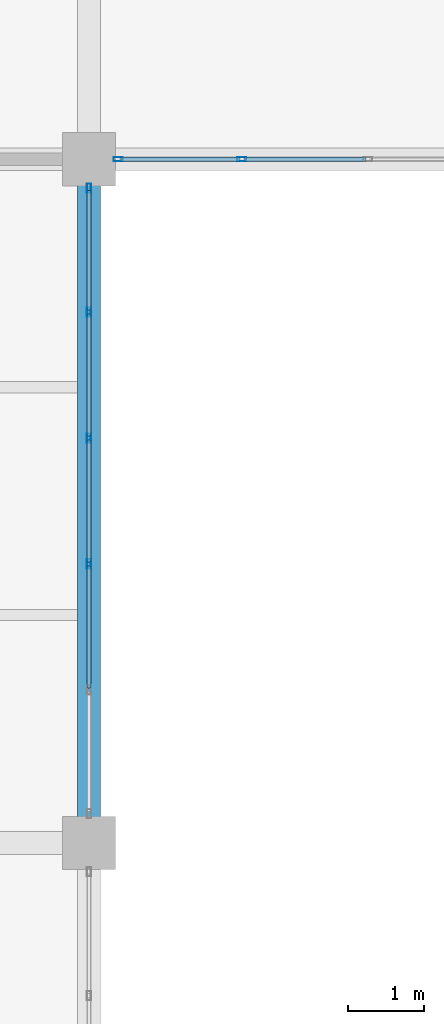
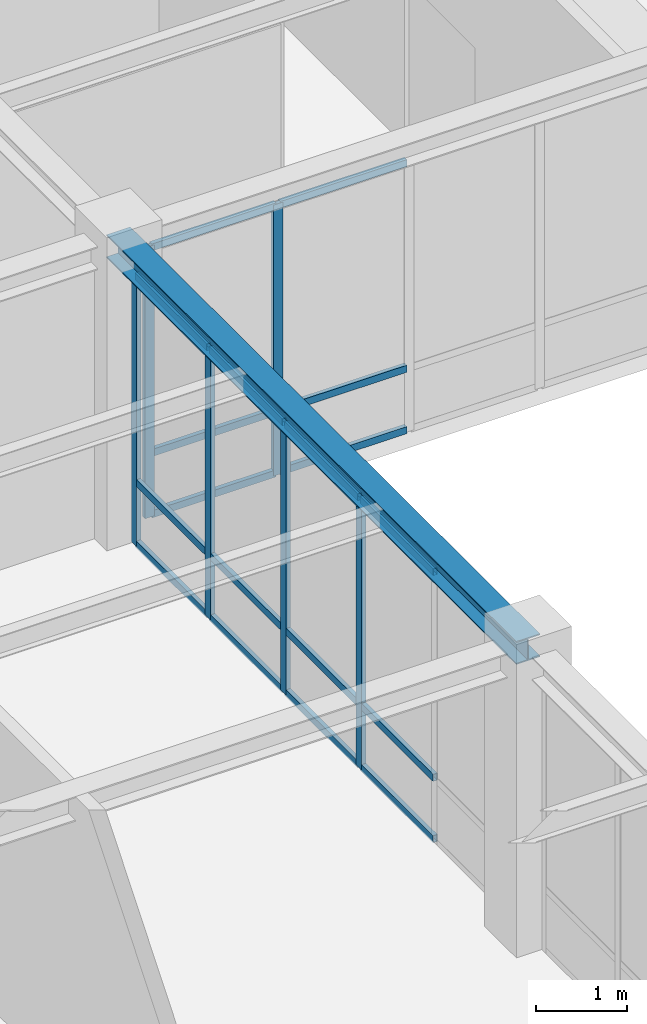
# One storey, part 44 of 108: 24 members, 1 beam, 2 elements without a shape of their own.
"""IFC4 building model written with IfcOpenShell, lengths in metres."""

from ifc_helpers import new_model, si_unit, direction, frame, origin, origin_2d, place, context, subcontext, project, spatial, hollow_rectangle, i_section, extrude, material, material_profile, profile_set, type_object, element, aggregate, save


model = new_model("IFC4")

# Units and contexts
model_context = context("Model", 3, precision=1e-05, world=origin(), true_north=direction((0.0, 1.0)))
body_context = subcontext(model_context, "Body", "Model", "MODEL_VIEW")
ifc_project = project(units=[si_unit("LENGTHUNIT", "METRE"), si_unit("AREAUNIT", "SQUARE_METRE"), si_unit("VOLUMEUNIT", "CUBIC_METRE"), si_unit("PLANEANGLEUNIT", "RADIAN"), si_unit("MASSUNIT", "GRAM", prefix="KILO")], contexts=[model_context])

# Site, building, storey
site_placement = place(None, origin())
site = spatial("IfcSite", under=ifc_project, at=site_placement, CompositionType="ELEMENT")
building_placement = place(site_placement, origin())
building = spatial("IfcBuilding", under=site, at=building_placement, Name="Lykobir Media Centre", CompositionType="ELEMENT")
storey_placement = place(building_placement, frame((0.0, 0.0, 15.0)))
storey = spatial("IfcBuildingStorey", under=building, at=storey_placement, Name="L03", CompositionType="ELEMENT", Elevation=15.0)

# Beam
ifc_material_1 = material(Name="Steel S355", Category="steel")
ifc_material_profile_1 = material_profile(ifc_material_1, i_section(OverallWidth=0.300048828125, OverallDepth=0.31005859375, WebThickness=0.009033203125, FlangeThickness=0.015380859375, at=origin_2d()), Name="HEA 320")
ifc_profile_set_1 = profile_set([ifc_material_profile_1], Name="Steel S355")
beam_type = type_object("IfcBeamType", Name="BM-HEA320", PredefinedType="BEAM", material=ifc_profile_set_1)
beam_placement = place(storey_placement, frame((36.0, 54.0, 3.804931640625), z_axis=(0.0, 1.0, 0.0), x_axis=(-1.0, 0.0, 0.0)))
element("IfcBeam", 1, at=beam_placement, inside=storey, type_object=beam_type, Name="Beam BM-L03-0360-0540-0360-0630-1880", PredefinedType="BEAM", context=body_context, shape_type="SweptSolid", body=[
    extrude(i_section(OverallWidth=0.300048828125, OverallDepth=0.31005859375, WebThickness=0.009033203125, FlangeThickness=0.015380859375, at=origin_2d()), origin(), (0.0, 0.0, 1.0), 9.0),
])

# Curtain wall, members
ifc_material_2 = material(Name="Anodized Aluminium AW-6060", Category="aluminium")
curtain_wall_type = type_object("IfcCurtainWallType", Name="CW-COURT-B", PredefinedType="NOTDEFINED", material=ifc_material_2)
curtain_wall_1_placement = place(storey_placement, origin())
curtain_wall_1 = element("IfcCurtainWall", 2, at=curtain_wall_1_placement, inside=storey, type_object=curtain_wall_type, Name="Curtain wall CW2-L03-0119", PredefinedType="NOTDEFINED")
ifc_material_profile_2 = material_profile(ifc_material_2, hollow_rectangle(XDim=0.054931640625, YDim=0.1201171875, WallThickness=0.003173828125, at=origin_2d()), Name="ALU MULLION 55x120")
ifc_profile_set_2 = profile_set([ifc_material_profile_2], Name="Anodized Aluminium AW-6060")
member_type_1 = type_object("IfcMemberType", Name="CWM-120", PredefinedType="MULLION", material=ifc_profile_set_2)
member_1_placement = place(storey_placement, frame((36.0, 62.617431640625, 0.0), z_axis=(0.0, 0.0, 1.0), x_axis=(1.0, 0.0, 0.0)))
member_1 = element("IfcMember", 3, at=member_1_placement, type_object=member_type_1, Name="CW2-L03-0119 mullion 1", PredefinedType="MULLION", context=body_context, shape_type="SweptSolid", body=[
    extrude(hollow_rectangle(XDim=0.054931640625, YDim=0.1201171875, WallThickness=0.003173828125, at=origin_2d()), origin(), (0.0, 0.0, 1.0), 3.635009765625),
])
member_2_placement = place(storey_placement, frame((36.0, 60.987060546875, 0.0), z_axis=(0.0, 0.0, 1.0), x_axis=(1.0, 0.0, 0.0)))
member_2 = element("IfcMember", 4, at=member_2_placement, type_object=member_type_1, Name="CW2-L03-0119 mullion 2", PredefinedType="MULLION", context=body_context, shape_type="SweptSolid", body=[
    extrude(hollow_rectangle(XDim=0.054931640625, YDim=0.1201171875, WallThickness=0.003173828125, at=origin_2d()), origin(), (0.0, 0.0, 1.0), 3.635009765625),
])
member_3_placement = place(storey_placement, frame((36.0, 59.3291015625, 0.0), z_axis=(0.0, 0.0, 1.0), x_axis=(1.0, 0.0, 0.0)))
member_3 = element("IfcMember", 5, at=member_3_placement, type_object=member_type_1, Name="CW2-L03-0119 mullion 3", PredefinedType="MULLION", context=body_context, shape_type="SweptSolid", body=[
    extrude(hollow_rectangle(XDim=0.054931640625, YDim=0.1201171875, WallThickness=0.003173828125, at=origin_2d()), origin(), (0.0, 0.0, 1.0), 3.635009765625),
])
member_4_placement = place(storey_placement, frame((36.0, 57.6708984375, 0.0), z_axis=(0.0, 0.0, 1.0), x_axis=(1.0, 0.0, 0.0)))
member_4 = element("IfcMember", 6, at=member_4_placement, type_object=member_type_1, Name="CW2-L03-0119 mullion 4", PredefinedType="MULLION", context=body_context, shape_type="SweptSolid", body=[
    extrude(hollow_rectangle(XDim=0.054931640625, YDim=0.1201171875, WallThickness=0.003173828125, at=origin_2d()), origin(), (0.0, 0.0, 1.0), 3.635009765625),
])

curtain_wall_2_placement = place(storey_placement, origin())
curtain_wall_2 = element("IfcCurtainWall", 7, at=curtain_wall_2_placement, inside=storey, type_object=curtain_wall_type, Name="Curtain wall CW2-L03-0120", PredefinedType="NOTDEFINED")
member_5_placement = place(storey_placement, frame((38.012939453125, 63.0, 0.0), z_axis=(0.0, 0.0, 1.0), x_axis=(0.0, -1.0, 0.0)))
member_5 = element("IfcMember", 8, at=member_5_placement, type_object=member_type_1, Name="CW2-L03-0120 mullion 5", PredefinedType="MULLION", context=body_context, shape_type="SweptSolid", body=[
    extrude(hollow_rectangle(XDim=0.054931640625, YDim=0.1201171875, WallThickness=0.003173828125, at=origin_2d()), origin(), (0.0, 0.0, 1.0), 3.635009765625),
])
member_6_placement = place(storey_placement, frame((36.382568359375, 63.0, 0.0), z_axis=(0.0, 0.0, 1.0), x_axis=(0.0, -1.0, 0.0)))
member_6 = element("IfcMember", 9, at=member_6_placement, type_object=member_type_1, Name="CW2-L03-0120 mullion 6", PredefinedType="MULLION", context=body_context, shape_type="SweptSolid", body=[
    extrude(hollow_rectangle(XDim=0.054931640625, YDim=0.1201171875, WallThickness=0.003173828125, at=origin_2d()), origin(), (0.0, 0.0, 1.0), 3.635009765625),
])

# Member
ifc_material_profile_3 = material_profile(ifc_material_2, hollow_rectangle(XDim=0.054931640625, YDim=0.094970703125, WallThickness=0.0029296875, at=origin_2d()), Name="ALU TRANSOM 55x95")
ifc_profile_set_3 = profile_set([ifc_material_profile_3], Name="Anodized Aluminium AW-6060")
member_type_2 = type_object("IfcMemberType", Name="CWT-095", PredefinedType="USERDEFINED", material=ifc_profile_set_3)
member_7_placement = place(storey_placement, frame((36.0, 62.590087890625, 0.027587890625), z_axis=(0.0, -1.0, 0.0), x_axis=(1.0, 0.0, 0.0)))
member_7 = element("IfcMember", 10, at=member_7_placement, type_object=member_type_2, Name="CW2-L03-0119 transom 1.1", ObjectType="TRANSOM", PredefinedType="USERDEFINED", context=body_context, shape_type="SweptSolid", body=[
    extrude(hollow_rectangle(XDim=0.054931640625, YDim=0.094970703125, WallThickness=0.0029296875, at=origin_2d()), origin(), (0.0, 0.0, 1.0), 1.57568359375),
])

member_8_placement = place(storey_placement, frame((36.0, 62.590087890625, 0.85009765625), z_axis=(0.0, -1.0, 0.0), x_axis=(1.0, 0.0, 0.0)))
member_8 = element("IfcMember", 11, at=member_8_placement, type_object=member_type_2, Name="CW2-L03-0119 transom 1.2", ObjectType="TRANSOM", PredefinedType="USERDEFINED", context=body_context, shape_type="SweptSolid", body=[
    extrude(hollow_rectangle(XDim=0.054931640625, YDim=0.094970703125, WallThickness=0.0029296875, at=origin_2d()), origin(), (0.0, 0.0, 1.0), 1.57568359375),
])

member_9_placement = place(storey_placement, frame((36.0, 62.590087890625, 3.607421875), z_axis=(0.0, -1.0, 0.0), x_axis=(1.0, 0.0, 0.0)))
member_9 = element("IfcMember", 12, at=member_9_placement, type_object=member_type_2, Name="CW2-L03-0119 transom 1.3", ObjectType="TRANSOM", PredefinedType="USERDEFINED", context=body_context, shape_type="SweptSolid", body=[
    extrude(hollow_rectangle(XDim=0.054931640625, YDim=0.094970703125, WallThickness=0.0029296875, at=origin_2d()), origin(), (0.0, 0.0, 1.0), 1.57568359375),
])

member_10_placement = place(storey_placement, frame((36.0, 60.95947265625, 0.027587890625), z_axis=(0.0, -1.0, 0.0), x_axis=(1.0, 0.0, 0.0)))
member_10 = element("IfcMember", 13, at=member_10_placement, type_object=member_type_2, Name="CW2-L03-0119 transom 2.1", ObjectType="TRANSOM", PredefinedType="USERDEFINED", context=body_context, shape_type="SweptSolid", body=[
    extrude(hollow_rectangle(XDim=0.054931640625, YDim=0.094970703125, WallThickness=0.0029296875, at=origin_2d()), origin(), (0.0, 0.0, 1.0), 1.60302734375),
])

member_11_placement = place(storey_placement, frame((36.0, 60.95947265625, 0.85009765625), z_axis=(0.0, -1.0, 0.0), x_axis=(1.0, 0.0, 0.0)))
member_11 = element("IfcMember", 14, at=member_11_placement, type_object=member_type_2, Name="CW2-L03-0119 transom 2.2", ObjectType="TRANSOM", PredefinedType="USERDEFINED", context=body_context, shape_type="SweptSolid", body=[
    extrude(hollow_rectangle(XDim=0.054931640625, YDim=0.094970703125, WallThickness=0.0029296875, at=origin_2d()), origin(), (0.0, 0.0, 1.0), 1.60302734375),
])

member_12_placement = place(storey_placement, frame((36.0, 60.95947265625, 3.607421875), z_axis=(0.0, -1.0, 0.0), x_axis=(1.0, 0.0, 0.0)))
member_12 = element("IfcMember", 15, at=member_12_placement, type_object=member_type_2, Name="CW2-L03-0119 transom 2.3", ObjectType="TRANSOM", PredefinedType="USERDEFINED", context=body_context, shape_type="SweptSolid", body=[
    extrude(hollow_rectangle(XDim=0.054931640625, YDim=0.094970703125, WallThickness=0.0029296875, at=origin_2d()), origin(), (0.0, 0.0, 1.0), 1.60302734375),
])

member_13_placement = place(storey_placement, frame((36.0, 59.301513671875, 0.027587890625), z_axis=(0.0, -1.0, 0.0), x_axis=(1.0, 0.0, 0.0)))
member_13 = element("IfcMember", 16, at=member_13_placement, type_object=member_type_2, Name="CW2-L03-0119 transom 3.1", ObjectType="TRANSOM", PredefinedType="USERDEFINED", context=body_context, shape_type="SweptSolid", body=[
    extrude(hollow_rectangle(XDim=0.054931640625, YDim=0.094970703125, WallThickness=0.0029296875, at=origin_2d()), origin(), (0.0, 0.0, 1.0), 1.60302734375),
])

member_14_placement = place(storey_placement, frame((36.0, 59.301513671875, 0.85009765625), z_axis=(0.0, -1.0, 0.0), x_axis=(1.0, 0.0, 0.0)))
member_14 = element("IfcMember", 17, at=member_14_placement, type_object=member_type_2, Name="CW2-L03-0119 transom 3.2", ObjectType="TRANSOM", PredefinedType="USERDEFINED", context=body_context, shape_type="SweptSolid", body=[
    extrude(hollow_rectangle(XDim=0.054931640625, YDim=0.094970703125, WallThickness=0.0029296875, at=origin_2d()), origin(), (0.0, 0.0, 1.0), 1.60302734375),
])

member_15_placement = place(storey_placement, frame((36.0, 59.301513671875, 3.607421875), z_axis=(0.0, -1.0, 0.0), x_axis=(1.0, 0.0, 0.0)))
member_15 = element("IfcMember", 18, at=member_15_placement, type_object=member_type_2, Name="CW2-L03-0119 transom 3.3", ObjectType="TRANSOM", PredefinedType="USERDEFINED", context=body_context, shape_type="SweptSolid", body=[
    extrude(hollow_rectangle(XDim=0.054931640625, YDim=0.094970703125, WallThickness=0.0029296875, at=origin_2d()), origin(), (0.0, 0.0, 1.0), 1.60302734375),
])

member_16_placement = place(storey_placement, frame((36.0, 57.6435546875, 0.027587890625), z_axis=(0.0, -1.0, 0.0), x_axis=(1.0, 0.0, 0.0)))
member_16 = element("IfcMember", 19, at=member_16_placement, type_object=member_type_2, Name="CW2-L03-0119 transom 4.1", ObjectType="TRANSOM", PredefinedType="USERDEFINED", context=body_context, shape_type="SweptSolid", body=[
    extrude(hollow_rectangle(XDim=0.054931640625, YDim=0.094970703125, WallThickness=0.0029296875, at=origin_2d()), origin(), (0.0, 0.0, 1.0), 1.60302734375),
])

member_17_placement = place(storey_placement, frame((36.0, 57.6435546875, 0.85009765625), z_axis=(0.0, -1.0, 0.0), x_axis=(1.0, 0.0, 0.0)))
member_17 = element("IfcMember", 20, at=member_17_placement, type_object=member_type_2, Name="CW2-L03-0119 transom 4.2", ObjectType="TRANSOM", PredefinedType="USERDEFINED", context=body_context, shape_type="SweptSolid", body=[
    extrude(hollow_rectangle(XDim=0.054931640625, YDim=0.094970703125, WallThickness=0.0029296875, at=origin_2d()), origin(), (0.0, 0.0, 1.0), 1.60302734375),
])

member_18_placement = place(storey_placement, frame((36.0, 57.6435546875, 3.607421875), z_axis=(0.0, -1.0, 0.0), x_axis=(1.0, 0.0, 0.0)))
member_18 = element("IfcMember", 21, at=member_18_placement, type_object=member_type_2, Name="CW2-L03-0119 transom 4.3", ObjectType="TRANSOM", PredefinedType="USERDEFINED", context=body_context, shape_type="SweptSolid", body=[
    extrude(hollow_rectangle(XDim=0.054931640625, YDim=0.094970703125, WallThickness=0.0029296875, at=origin_2d()), origin(), (0.0, 0.0, 1.0), 1.60302734375),
])

aggregate(curtain_wall_1, [member_1, member_2, member_3, member_4, member_7, member_8, member_9, member_10, member_11, member_12, member_13, member_14, member_15, member_16, member_17, member_18])

member_19_placement = place(storey_placement, frame((39.6435546875, 63.0, 0.027587890625), z_axis=(-1.0, 0.0, 0.0), x_axis=(0.0, -1.0, 0.0)))
member_19 = element("IfcMember", 22, at=member_19_placement, type_object=member_type_2, Name="CW2-L03-0120 transom 4.1", ObjectType="TRANSOM", PredefinedType="USERDEFINED", context=body_context, shape_type="SweptSolid", body=[
    extrude(hollow_rectangle(XDim=0.054931640625, YDim=0.094970703125, WallThickness=0.0029296875, at=origin_2d()), origin(), (0.0, 0.0, 1.0), 1.60302734375),
])

member_20_placement = place(storey_placement, frame((39.6435546875, 63.0, 0.85009765625), z_axis=(-1.0, 0.0, 0.0), x_axis=(0.0, -1.0, 0.0)))
member_20 = element("IfcMember", 23, at=member_20_placement, type_object=member_type_2, Name="CW2-L03-0120 transom 4.2", ObjectType="TRANSOM", PredefinedType="USERDEFINED", context=body_context, shape_type="SweptSolid", body=[
    extrude(hollow_rectangle(XDim=0.054931640625, YDim=0.094970703125, WallThickness=0.0029296875, at=origin_2d()), origin(), (0.0, 0.0, 1.0), 1.60302734375),
])

member_21_placement = place(storey_placement, frame((39.6435546875, 63.0, 3.607421875), z_axis=(-1.0, 0.0, 0.0), x_axis=(0.0, -1.0, 0.0)))
member_21 = element("IfcMember", 24, at=member_21_placement, type_object=member_type_2, Name="CW2-L03-0120 transom 4.3", ObjectType="TRANSOM", PredefinedType="USERDEFINED", context=body_context, shape_type="SweptSolid", body=[
    extrude(hollow_rectangle(XDim=0.054931640625, YDim=0.094970703125, WallThickness=0.0029296875, at=origin_2d()), origin(), (0.0, 0.0, 1.0), 1.60302734375),
])

member_22_placement = place(storey_placement, frame((37.985595703125, 63.0, 0.027587890625), z_axis=(-1.0, 0.0, 0.0), x_axis=(0.0, -1.0, 0.0)))
member_22 = element("IfcMember", 25, at=member_22_placement, type_object=member_type_2, Name="CW2-L03-0120 transom 5.1", ObjectType="TRANSOM", PredefinedType="USERDEFINED", context=body_context, shape_type="SweptSolid", body=[
    extrude(hollow_rectangle(XDim=0.054931640625, YDim=0.094970703125, WallThickness=0.0029296875, at=origin_2d()), origin(), (0.0, 0.0, 1.0), 1.57568359375),
])

member_23_placement = place(storey_placement, frame((37.985595703125, 63.0, 0.85009765625), z_axis=(-1.0, 0.0, 0.0), x_axis=(0.0, -1.0, 0.0)))
member_23 = element("IfcMember", 26, at=member_23_placement, type_object=member_type_2, Name="CW2-L03-0120 transom 5.2", ObjectType="TRANSOM", PredefinedType="USERDEFINED", context=body_context, shape_type="SweptSolid", body=[
    extrude(hollow_rectangle(XDim=0.054931640625, YDim=0.094970703125, WallThickness=0.0029296875, at=origin_2d()), origin(), (0.0, 0.0, 1.0), 1.57568359375),
])

member_24_placement = place(storey_placement, frame((37.985595703125, 63.0, 3.607421875), z_axis=(-1.0, 0.0, 0.0), x_axis=(0.0, -1.0, 0.0)))
member_24 = element("IfcMember", 27, at=member_24_placement, type_object=member_type_2, Name="CW2-L03-0120 transom 5.3", ObjectType="TRANSOM", PredefinedType="USERDEFINED", context=body_context, shape_type="SweptSolid", body=[
    extrude(hollow_rectangle(XDim=0.054931640625, YDim=0.094970703125, WallThickness=0.0029296875, at=origin_2d()), origin(), (0.0, 0.0, 1.0), 1.57568359375),
])

aggregate(curtain_wall_2, [member_5, member_6, member_19, member_20, member_21, member_22, member_23, member_24])

save(model, "model.ifc")
